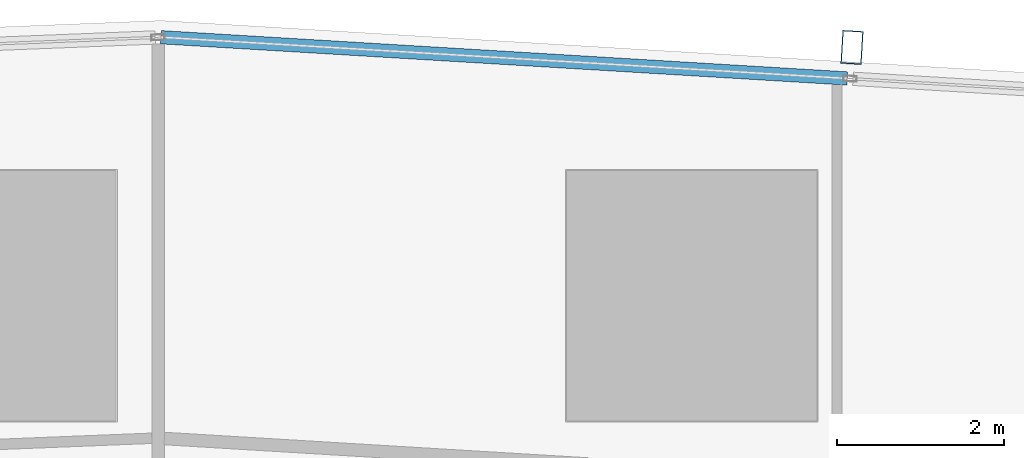
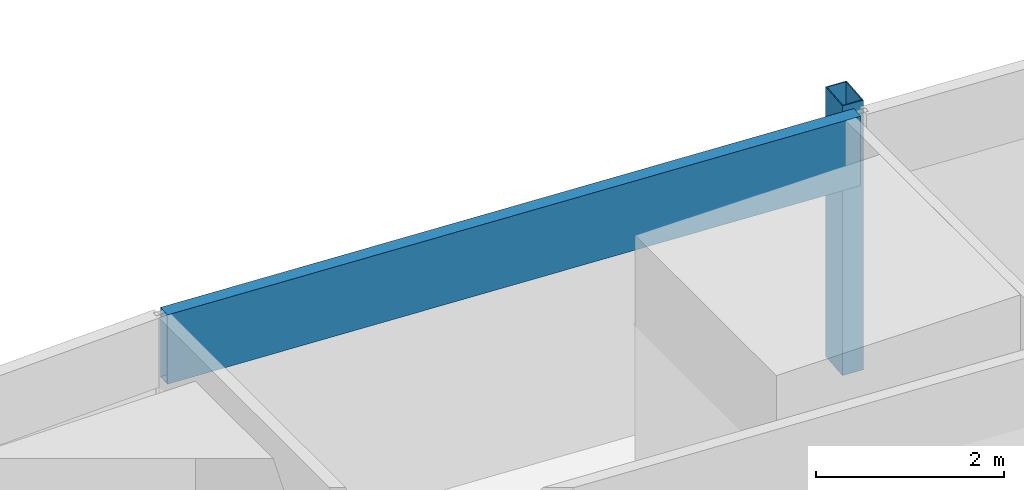
# One storey, part 22 of 39: 2 members, 1 element without a shape of its own.
"""IFC4 building model written with IfcOpenShell, lengths in metres."""

from ifc_helpers import new_model, si_unit, direction, frame, origin, origin_2d, place, context, subcontext, project, spatial, hollow_rectangle, extrude, material, material_profile, profile_set, type_object, element, aggregate, save


model = new_model("IFC4")

# Units and contexts
model_context = context("Model", 3, precision=1e-05, world=origin(), true_north=direction((0.0, 1.0)))
body_context = subcontext(model_context, "Body", "Model", "MODEL_VIEW")
ifc_project = project(units=[si_unit("LENGTHUNIT", "METRE"), si_unit("AREAUNIT", "SQUARE_METRE"), si_unit("VOLUMEUNIT", "CUBIC_METRE"), si_unit("PLANEANGLEUNIT", "RADIAN"), si_unit("MASSUNIT", "GRAM", prefix="KILO")], contexts=[model_context])

# Site, building, storey
site_placement = place(None, origin())
site = spatial("IfcSite", under=ifc_project, at=site_placement, CompositionType="ELEMENT")
building_placement = place(site_placement, origin())
building = spatial("IfcBuilding", under=site, at=building_placement, Name="Rekha Terrace Tower", CompositionType="ELEMENT")
storey_placement = place(building_placement, frame((0.0, 0.0, 155.300048828125)))
storey = spatial("IfcBuildingStorey", under=building, at=storey_placement, Name="L39", CompositionType="ELEMENT", Elevation=155.300048828125)

# Curtain wall, members
ifc_material_1 = material(Name="Aluminium framing", Category="aluminium")
curtain_wall_type = type_object("IfcCurtainWallType", Name="CW3 north unitised glazing", PredefinedType="USERDEFINED", material=ifc_material_1)
curtain_wall_placement = place(storey_placement, origin())
curtain_wall = element("IfcCurtainWall", 1, at=curtain_wall_placement, inside=storey, type_object=curtain_wall_type, Name="CW3 unitised curtain wall", ObjectType="UNITISED CURTAIN WALL", PredefinedType="USERDEFINED")
ifc_material_2 = material(Name="Steel S355 with fluorocarbon finish", Category="steel")
ifc_material_profile_1 = material_profile(ifc_material_2, hollow_rectangle(XDim=0.25, YDim=0.39990234375, WallThickness=0.012451171875, at=origin_2d()), Name="RHS400x250x12.5")
ifc_profile_set_1 = profile_set([ifc_material_profile_1], Name="Steel S355 with fluorocarbon finish")
member_type_1 = type_object("IfcMemberType", Name="BL1 facade blade RHS 400 x 250", PredefinedType="USERDEFINED", material=ifc_profile_set_1)
member_1_placement = place(storey_placement, frame((52.322265625, 61.777587890625, 0.0), z_axis=(0.0, 0.0, 1.0), x_axis=(-0.998199123409, 0.059987582268, 0.0)))
member_1 = element("IfcMember", 2, at=member_1_placement, type_object=member_type_1, Name="Facade blade", ObjectType="FACADE BLADE", PredefinedType="USERDEFINED", context=body_context, shape_type="SweptSolid", body=[
    extrude(hollow_rectangle(XDim=0.25, YDim=0.39990234375, WallThickness=0.012451171875, at=origin_2d()), origin(), (0.0, 0.0, 1.0), 3.5),
])
ifc_material_3 = material(Name="Insulated aluminium spandrel box", Category="aluminium")
ifc_material_profile_2 = material_profile(ifc_material_3, hollow_rectangle(XDim=0.159912109375, YDim=0.89990234375, WallThickness=0.0029296875, at=origin_2d()), Name="AL SPANDREL BOX 160x900")
ifc_profile_set_2 = profile_set([ifc_material_profile_2], Name="Insulated aluminium spandrel box")
member_type_2 = type_object("IfcMemberType", Name="CW3 spandrel transom 160 x 900", PredefinedType="USERDEFINED", material=ifc_profile_set_2)
member_2_placement = place(storey_placement, frame((52.2646484375, 61.4052734375, 3.050048828125), z_axis=(-0.998199102701, 0.059987926845, 0.0), x_axis=(-0.059987926845, -0.998199102701, 0.0)))
member_2 = element("IfcMember", 3, at=member_2_placement, type_object=member_type_2, Name="CW3 spandrel transom 3", ObjectType="TRANSOM", PredefinedType="USERDEFINED", context=body_context, shape_type="SweptSolid", body=[
    extrude(hollow_rectangle(XDim=0.159912109375, YDim=0.89990234375, WallThickness=0.0029296875, at=origin_2d()), origin(), (0.0, 0.0, 1.0), 8.241455078125),
])
aggregate(curtain_wall, [member_2, member_1])

save(model, "model.ifc")
